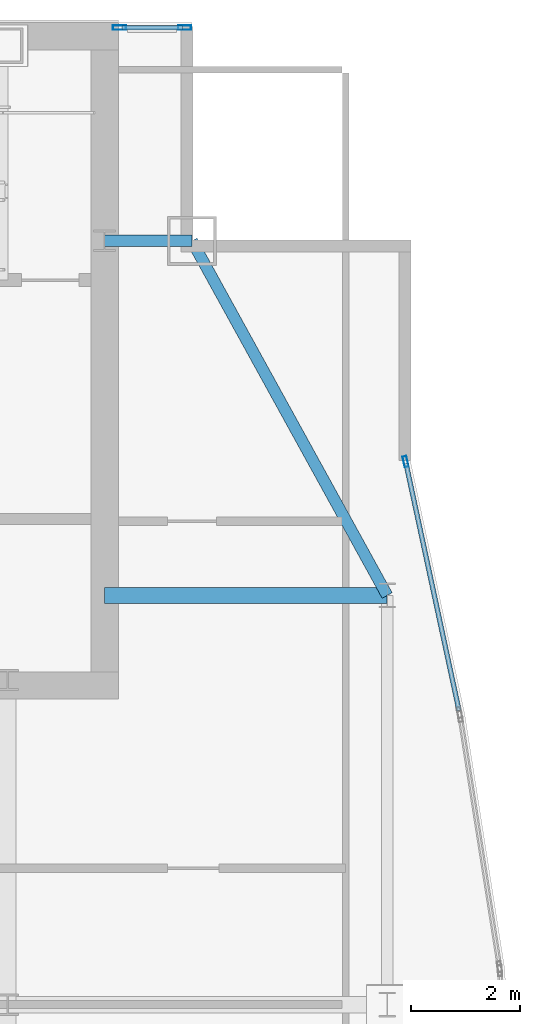
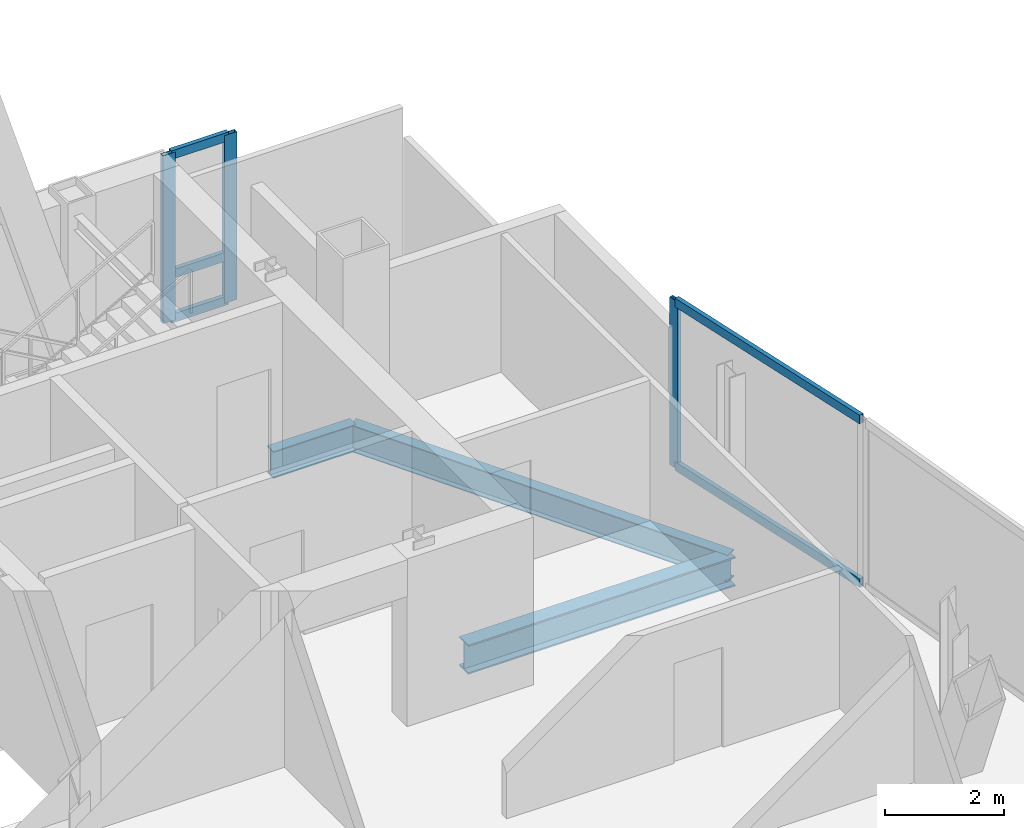
# One storey, part 22 of 29: 8 members, 3 beams, 2 elements without a shape of their own.
"""IFC4 building model written with IfcOpenShell, lengths in metres."""

from ifc_helpers import new_model, si_unit, direction, frame, origin, origin_2d, place, context, subcontext, project, spatial, hollow_rectangle, i_section, extrude, material, material_profile, profile_set, type_object, element, aggregate, save


model = new_model("IFC4")

# Units and contexts
model_context = context("Model", 3, precision=1e-05, world=origin(), true_north=direction((0.0, 1.0)))
body_context = subcontext(model_context, "Body", "Model", "MODEL_VIEW")
ifc_project = project(units=[si_unit("LENGTHUNIT", "METRE"), si_unit("AREAUNIT", "SQUARE_METRE"), si_unit("VOLUMEUNIT", "CUBIC_METRE"), si_unit("PLANEANGLEUNIT", "RADIAN"), si_unit("MASSUNIT", "GRAM", prefix="KILO")], contexts=[model_context])

# Site, building, storey
site_placement = place(None, origin())
site = spatial("IfcSite", under=ifc_project, at=site_placement, CompositionType="ELEMENT")
building_placement = place(site_placement, origin())
building = spatial("IfcBuilding", under=site, at=building_placement, Name="Khoronbel Lancet Exchange", CompositionType="ELEMENT")
storey_placement = place(building_placement, frame((0.0, 0.0, 314.60009765625)))
storey = spatial("IfcBuildingStorey", under=building, at=storey_placement, Name="L81", CompositionType="ELEMENT", Elevation=314.60009765625)

# Beams
ifc_material_1 = material(Name="Steel S355", Category="steel")
ifc_material_profile_1 = material_profile(ifc_material_1, i_section(OverallWidth=0.300048828125, OverallDepth=0.60009765625, WebThickness=0.015380859375, FlangeThickness=0.030029296875, at=origin_2d()), Name="HEB 600")
ifc_profile_set_1 = profile_set([ifc_material_profile_1], Name="Steel S355")
beam_type_1 = type_object("IfcBeamType", Name="BM-BG5", PredefinedType="BEAM", material=ifc_profile_set_1)
beam_1_placement = place(storey_placement, frame((56.449951171875, 43.199951171875, -0.460205078125), z_axis=(1.0, 0.0, 0.0), x_axis=(0.0, 1.0, 0.0)))
element("IfcBeam", 1, at=beam_1_placement, inside=storey, type_object=beam_type_1, Name="Level L81 east lens tie girder LG3E", PredefinedType="BEAM", context=body_context, shape_type="SweptSolid", body=[
    extrude(i_section(OverallWidth=0.300048828125, OverallDepth=0.60009765625, WebThickness=0.015380859375, FlangeThickness=0.030029296875, at=origin_2d()), origin(), (0.0, 0.0, 1.0), 5.179931640625),
])
ifc_material_profile_2 = material_profile(ifc_material_1, i_section(OverallWidth=0.2099609375, OverallDepth=0.550048828125, WebThickness=0.010986328125, FlangeThickness=0.01708984375, at=origin_2d()), Name="IPE 550")
ifc_profile_set_2 = profile_set([ifc_material_profile_2], Name="Steel S355")
beam_type_2 = type_object("IfcBeamType", Name="BM-BSP3", PredefinedType="SPANDREL", material=ifc_profile_set_2)
beam_2_placement = place(storey_placement, frame((61.6298828125, 43.199951171875, -0.43505859375), z_axis=(-0.482418808117, 0.875940690672, 0.0), x_axis=(-0.875940690672, -0.482418808117, 0.0)))
element("IfcBeam", 2, at=beam_2_placement, inside=storey, type_object=beam_type_2, Name="Level L81 perimeter spandrel beam SP12", PredefinedType="SPANDREL", context=body_context, shape_type="SweptSolid", body=[
    extrude(i_section(OverallWidth=0.2099609375, OverallDepth=0.550048828125, WebThickness=0.010986328125, FlangeThickness=0.01708984375, at=origin_2d()), origin(), (0.0, 0.0, 1.0), 7.420654296875),
])
beam_3_placement = place(storey_placement, frame((58.050048828125, 49.699951171875, -0.43505859375), z_axis=(-1.0, 0.0, 0.0), x_axis=(0.0, -1.0, 0.0)))
element("IfcBeam", 3, at=beam_3_placement, inside=storey, type_object=beam_type_2, Name="Level L81 north flank tie spandrel SP20", PredefinedType="SPANDREL", context=body_context, shape_type="SweptSolid", body=[
    extrude(i_section(OverallWidth=0.2099609375, OverallDepth=0.550048828125, WebThickness=0.010986328125, FlangeThickness=0.01708984375, at=origin_2d()), origin(), (0.0, 0.0, 1.0), 1.60009765625),
])

# Curtain wall, members
ifc_material_2 = material(Name="Low-E Solar Control Insulating Glass", Category="glass")
curtain_wall_type_1 = type_object("IfcCurtainWallType", Name="CW-3", PredefinedType="NOTDEFINED", material=ifc_material_2)
curtain_wall_1_placement = place(storey_placement, origin())
curtain_wall_1 = element("IfcCurtainWall", 4, at=curtain_wall_1_placement, inside=storey, type_object=curtain_wall_type_1, Name="Unitised curtain wall CW-L81-NEFLK", PredefinedType="NOTDEFINED")
ifc_material_3 = material(Name="Bronze-Anodised Aluminium 6063-T6", Category="aluminium")
ifc_material_profile_3 = material_profile(ifc_material_3, hollow_rectangle(XDim=0.0849609375, YDim=0.239990234375, WallThickness=0.006103515625, at=origin_2d()), Name="ALU MULLION 85x240")
ifc_profile_set_3 = profile_set([ifc_material_profile_3], Name="Bronze-Anodised Aluminium 6063-T6")
member_type_1 = type_object("IfcMemberType", Name="MEM-CWM1", PredefinedType="MULLION", material=ifc_profile_set_3)
member_1_placement = place(storey_placement, frame((57.91748046875, 53.610107421875, 0.0), z_axis=(0.0, 0.0, 1.0), x_axis=(0.0, -1.0, 0.0)))
member_1 = element("IfcMember", 5, at=member_1_placement, type_object=member_type_1, Name="CW3 mullion 1", PredefinedType="MULLION", context=body_context, shape_type="SweptSolid", body=[
    extrude(hollow_rectangle(XDim=0.0849609375, YDim=0.239990234375, WallThickness=0.006103515625, at=origin_2d()), origin(), (0.0, 0.0, 1.0), 3.43994140625),
])
member_2_placement = place(storey_placement, frame((56.722412109375, 53.610107421875, 0.0), z_axis=(0.0, 0.0, 1.0), x_axis=(0.0, -1.0, 0.0)))
member_2 = element("IfcMember", 6, at=member_2_placement, type_object=member_type_1, Name="CW3 mullion 2", PredefinedType="MULLION", context=body_context, shape_type="SweptSolid", body=[
    extrude(hollow_rectangle(XDim=0.0849609375, YDim=0.239990234375, WallThickness=0.006103515625, at=origin_2d()), origin(), (0.0, 0.0, 1.0), 3.43994140625),
])

# Curtain wall, member
curtain_wall_type_2 = type_object("IfcCurtainWallType", Name="CW-4", PredefinedType="NOTDEFINED", material=ifc_material_2)
curtain_wall_2_placement = place(storey_placement, origin())
curtain_wall_2 = element("IfcCurtainWall", 7, at=curtain_wall_2_placement, inside=storey, type_object=curtain_wall_type_2, Name="Unitised curtain wall CW-L81-E17", PredefinedType="NOTDEFINED")
ifc_material_profile_4 = material_profile(ifc_material_3, hollow_rectangle(XDim=0.074951171875, YDim=0.199951171875, WallThickness=0.0048828125, at=origin_2d()), Name="ALU MULLION 75x200")
ifc_profile_set_4 = profile_set([ifc_material_profile_4], Name="Bronze-Anodised Aluminium 6063-T6")
member_type_2 = type_object("IfcMemberType", Name="MEM-CWM2", PredefinedType="MULLION", material=ifc_profile_set_4)
member_3_placement = place(storey_placement, frame((61.9677734375, 45.65380859375, 0.0), z_axis=(0.0, 0.0, 1.0), x_axis=(0.977746046147, 0.209791966588, 0.0)))
member_3 = element("IfcMember", 8, at=member_3_placement, type_object=member_type_2, Name="CW4 mullion 1", PredefinedType="MULLION", context=body_context, shape_type="SweptSolid", body=[
    extrude(hollow_rectangle(XDim=0.074951171875, YDim=0.199951171875, WallThickness=0.0048828125, at=origin_2d()), origin(), (0.0, 0.0, 1.0), 3.43994140625),
])

# Member
ifc_material_profile_5 = material_profile(ifc_material_3, hollow_rectangle(XDim=0.0849609375, YDim=0.179931640625, WallThickness=0.0048828125, at=origin_2d()), Name="ALU TRANSOM 85x180")
ifc_profile_set_5 = profile_set([ifc_material_profile_5], Name="Bronze-Anodised Aluminium 6063-T6")
member_type_3 = type_object("IfcMemberType", Name="MEM-CWT1", PredefinedType="USERDEFINED", material=ifc_profile_set_5)
member_4_placement = place(storey_placement, frame((57.875, 53.610107421875, 0.04248046875), z_axis=(-1.0, 0.0, 0.0), x_axis=(0.0, -1.0, 0.0)))
member_4 = element("IfcMember", 9, at=member_4_placement, type_object=member_type_3, Name="CW3 transom 1.1", ObjectType="TRANSOM", PredefinedType="USERDEFINED", context=body_context, shape_type="SweptSolid", body=[
    extrude(hollow_rectangle(XDim=0.0849609375, YDim=0.179931640625, WallThickness=0.0048828125, at=origin_2d()), origin(), (0.0, 0.0, 1.0), 1.110107421875),
])

member_5_placement = place(storey_placement, frame((57.875, 53.610107421875, 0.949951171875), z_axis=(-1.0, 0.0, 0.0), x_axis=(0.0, -1.0, 0.0)))
member_5 = element("IfcMember", 10, at=member_5_placement, type_object=member_type_3, Name="CW3 transom 1.2", ObjectType="TRANSOM", PredefinedType="USERDEFINED", context=body_context, shape_type="SweptSolid", body=[
    extrude(hollow_rectangle(XDim=0.0849609375, YDim=0.179931640625, WallThickness=0.0048828125, at=origin_2d()), origin(), (0.0, 0.0, 1.0), 1.110107421875),
])

member_6_placement = place(storey_placement, frame((57.875, 53.610107421875, 3.3974609375), z_axis=(-1.0, 0.0, 0.0), x_axis=(0.0, -1.0, 0.0)))
member_6 = element("IfcMember", 11, at=member_6_placement, type_object=member_type_3, Name="CW3 transom 1.3", ObjectType="TRANSOM", PredefinedType="USERDEFINED", context=body_context, shape_type="SweptSolid", body=[
    extrude(hollow_rectangle(XDim=0.0849609375, YDim=0.179931640625, WallThickness=0.0048828125, at=origin_2d()), origin(), (0.0, 0.0, 1.0), 1.110107421875),
])

aggregate(curtain_wall_1, [member_1, member_2, member_4, member_5, member_6])

member_7_placement = place(storey_placement, frame((61.975830078125, 45.6171875, 0.04248046875), z_axis=(0.209766761099, -0.977751454071, 0.0), x_axis=(0.977751454071, 0.209766761099, 0.0)))
member_7 = element("IfcMember", 12, at=member_7_placement, type_object=member_type_3, Name="CW4 transom 1.1", ObjectType="TRANSOM", PredefinedType="USERDEFINED", context=body_context, shape_type="SweptSolid", body=[
    extrude(hollow_rectangle(XDim=0.0849609375, YDim=0.179931640625, WallThickness=0.0048828125, at=origin_2d()), origin(), (0.0, 0.0, 1.0), 4.6298828125),
])

member_8_placement = place(storey_placement, frame((61.975830078125, 45.6171875, 3.3974609375), z_axis=(0.209766761099, -0.977751454071, 0.0), x_axis=(0.977751454071, 0.209766761099, 0.0)))
member_8 = element("IfcMember", 13, at=member_8_placement, type_object=member_type_3, Name="CW4 transom 1.2", ObjectType="TRANSOM", PredefinedType="USERDEFINED", context=body_context, shape_type="SweptSolid", body=[
    extrude(hollow_rectangle(XDim=0.0849609375, YDim=0.179931640625, WallThickness=0.0048828125, at=origin_2d()), origin(), (0.0, 0.0, 1.0), 4.6298828125),
])

aggregate(curtain_wall_2, [member_3, member_7, member_8])

save(model, "model.ifc")
